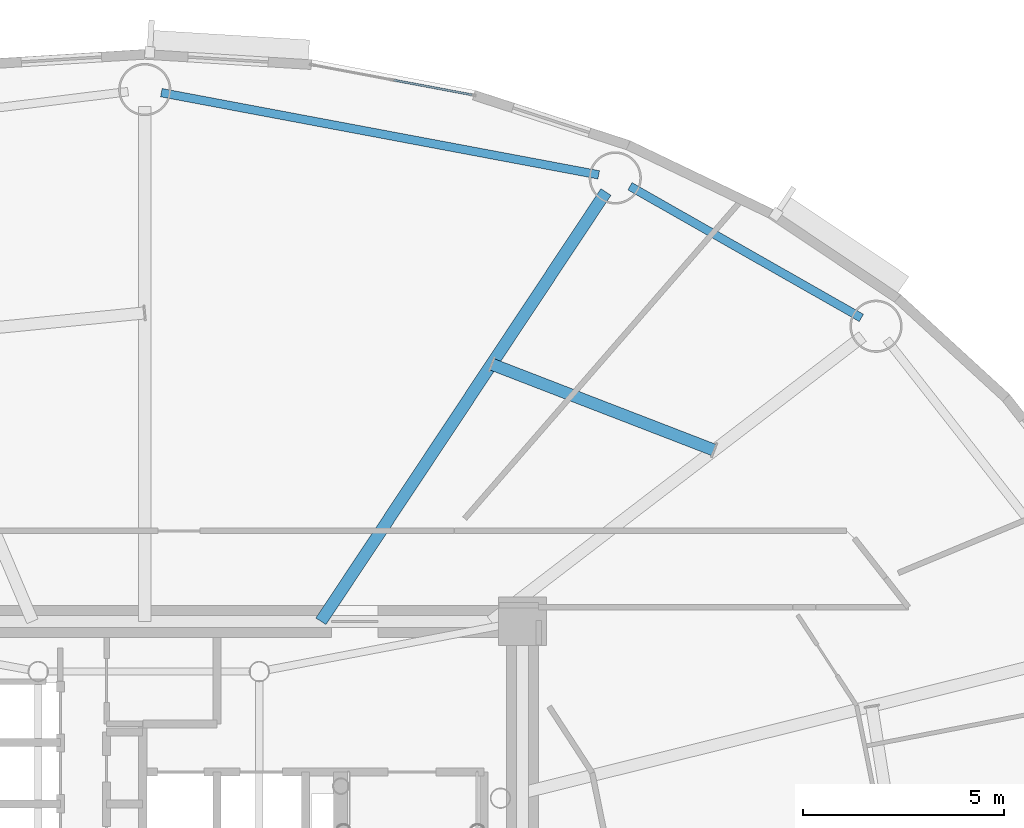
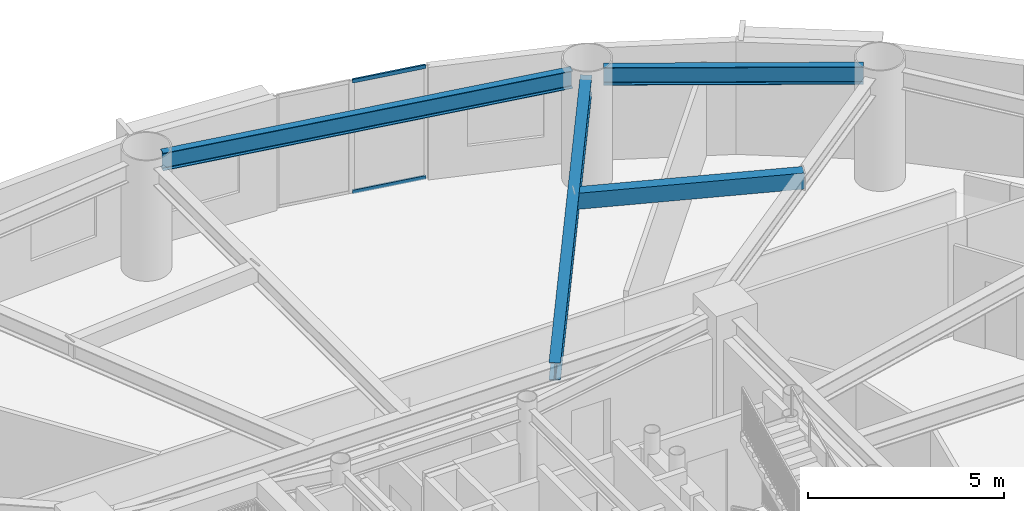
# One storey, part 5 of 21: 4 beams, 2 members, 1 element without a shape of its own.
"""IFC4 building model written with IfcOpenShell, lengths in metres."""

from ifc_helpers import new_model, si_unit, direction, frame, origin, origin_2d, place, context, subcontext, project, spatial, hollow_rectangle, i_section, extrude, source, transform, mapped, material, layer, layer_set, material_profile, profile_set, type_object, element, aggregate, save


model = new_model("IFC4")

# Units and contexts
model_context = context("Model", 3, precision=1e-05, world=origin(), true_north=direction((0.0, 1.0)))
body_context = subcontext(model_context, "Body", "Model", "MODEL_VIEW")
ifc_project = project(units=[si_unit("LENGTHUNIT", "METRE"), si_unit("AREAUNIT", "SQUARE_METRE"), si_unit("VOLUMEUNIT", "CUBIC_METRE"), si_unit("PLANEANGLEUNIT", "RADIAN"), si_unit("MASSUNIT", "GRAM", prefix="KILO")], contexts=[model_context])

# Site, building, storey
site_placement = place(None, origin())
site = spatial("IfcSite", under=ifc_project, at=site_placement, CompositionType="ELEMENT")
building_placement = place(site_placement, origin())
building = spatial("IfcBuilding", under=site, at=building_placement, Name="Linh Dai School and Residence Tower", CompositionType="ELEMENT")
storey_placement = place(building_placement, frame((0.0, 0.0, 171.14990234375)))
storey = spatial("IfcBuildingStorey", under=building, at=storey_placement, Name="L41", CompositionType="ELEMENT", Elevation=171.14990234375)

# Beams
ifc_material_1 = material(Name="Structural Steel S355JR", Category="steel")
ifc_material_profile_1 = material_profile(ifc_material_1, hollow_rectangle(XDim=0.300048828125, YDim=0.5, WallThickness=0.01611328125, at=origin_2d()), Name="RHS 500x300x16")
ifc_profile_set_1 = profile_set([ifc_material_profile_1], Name="Structural Steel S355JR")
beam_type_1 = type_object("IfcBeamType", Name="BM-BX5", PredefinedType="BEAM", material=ifc_profile_set_1)
beam_1_placement = place(storey_placement, frame((50.1640625, 37.860107421875, 3.25), z_axis=(-0.932827710026, 0.360322721193, 0.0), x_axis=(-0.360322721193, -0.932827710026, 0.0)))
element("IfcBeam", 1, at=beam_1_placement, inside=storey, type_object=beam_type_1, Name="L41 Secondary Circumferential Floor Beam 02", PredefinedType="BEAM", context=body_context, shape_type="SweptSolid", body=[
    extrude(hollow_rectangle(XDim=0.300048828125, YDim=0.5, WallThickness=0.01611328125, at=origin_2d()), origin(), (0.0, 0.0, 1.0), 5.927978515625),
])
ifc_material_profile_2 = material_profile(ifc_material_1, i_section(OverallWidth=0.2099609375, OverallDepth=0.550048828125, WebThickness=0.010986328125, FlangeThickness=0.01708984375, FilletRadius=0.02392578125, at=origin_2d()), Name="IPE 550")
ifc_profile_set_2 = profile_set([ifc_material_profile_2], Name="Structural Steel S355JR")
beam_type_2 = type_object("IfcBeamType", Name="BM-RB55", PredefinedType="BEAM", material=ifc_profile_set_2)
beam_2_placement = place(storey_placement, frame((53.827392578125, 41.1494140625, 3.22509765625), z_axis=(-0.869262164011, 0.49435138335, 0.0), x_axis=(-0.49435138335, -0.869262164011, 0.0)))
element("IfcBeam", 2, at=beam_2_placement, inside=storey, type_object=beam_type_2, Name="L41 Perimeter Elliptical Ring Beam 03", PredefinedType="BEAM", context=body_context, shape_type="SweptSolid", body=[
    extrude(i_section(OverallWidth=0.2099609375, OverallDepth=0.550048828125, WebThickness=0.010986328125, FlangeThickness=0.01708984375, FilletRadius=0.02392578125, at=origin_2d()), origin(), (0.0, 0.0, 1.0), 6.62255859375),
])
beam_3_placement = place(storey_placement, frame((47.292724609375, 44.70849609375, 3.22509765625), z_axis=(-0.98280721278, 0.184634727255, 0.0), x_axis=(-0.184634727255, -0.98280721278, 0.0)))
element("IfcBeam", 3, at=beam_3_placement, inside=storey, type_object=beam_type_2, Name="L41 Perimeter Elliptical Ring Beam 04", PredefinedType="BEAM", context=body_context, shape_type="SweptSolid", body=[
    extrude(i_section(OverallWidth=0.2099609375, OverallDepth=0.550048828125, WebThickness=0.010986328125, FlangeThickness=0.01708984375, FilletRadius=0.02392578125, at=origin_2d()), origin(), (0.0, 0.0, 1.0), 11.0703125),
])
ifc_material_profile_3 = material_profile(ifc_material_1, i_section(OverallWidth=0.300048828125, OverallDepth=0.550048828125, WebThickness=0.014892578125, FlangeThickness=0.029052734375, FilletRadius=0.027099609375, at=origin_2d()), Name="HEB 550")
ifc_profile_set_3 = profile_set([ifc_material_profile_3], Name="Structural Steel S355JR")
beam_type_3 = type_object("IfcBeamType", Name="BM-RG55", PredefinedType="BEAM", material=ifc_profile_set_3)
beam_4_placement = place(storey_placement, frame((40.3818359375, 33.60009765625, 3.22509765625), z_axis=(0.553117176317, 0.833103468522, 0.0), x_axis=(-0.833103468522, 0.553117176317, 0.0)))
element("IfcBeam", 4, at=beam_4_placement, inside=storey, type_object=beam_type_3, Name="L41 Primary Radial Floor Girder 04", PredefinedType="BEAM", context=body_context, shape_type="SweptSolid", body=[
    extrude(i_section(OverallWidth=0.300048828125, OverallDepth=0.550048828125, WebThickness=0.014892578125, FlangeThickness=0.029052734375, FilletRadius=0.027099609375, at=origin_2d()), origin(), (0.0, 0.0, 1.0), 12.820556640625),
])

# Curtain wall, members
ifc_material_2 = material(Name="Aluminium Anodised Curtain Wall", Category="aluminium")
ifc_layer = layer(ifc_material_2, 0.14990234375)
ifc_layer_set = layer_set([ifc_layer], Name="Aluminium Anodised Curtain Wall")
curtain_wall_type = type_object("IfcCurtainWallType", Name="CW-SYS-4", PredefinedType="USERDEFINED", material=ifc_layer_set)
curtain_wall_placement = place(storey_placement, origin())
curtain_wall = element("IfcCurtainWall", 5, at=curtain_wall_placement, inside=storey, type_object=curtain_wall_type, Name="L41 CW4 Curtain Wall 09", ObjectType="RIBBON CURTAIN WALL", PredefinedType="USERDEFINED")
ifc_material_3 = material(Name="Aluminium Alloy 6063-T6", Category="aluminium")
ifc_material_profile_4 = material_profile(ifc_material_3, hollow_rectangle(XDim=0.052001953125, YDim=0.114990234375, WallThickness=0.00390625, at=origin_2d()), Name="RHS 115x52x4")
ifc_profile_set_4 = profile_set([ifc_material_profile_4], Name="Aluminium Alloy 6063-T6")
member_type = type_object("IfcMemberType", Name="CW-SYS-4-TRN", PredefinedType="USERDEFINED", material=ifc_profile_set_4)
shared_shape = source(origin(), body_context, "Body", "SweptSolid", [
    extrude(hollow_rectangle(XDim=0.052001953125, YDim=0.114990234375, WallThickness=0.00390625, at=origin_2d()), origin(), (0.0, 0.0, 1.0), 1.979248046875),
])
member_1_placement = place(storey_placement, frame((42.19287109375, 47.064697265625, 0.026123046875), z_axis=(0.982778495778, -0.184787521862, 0.0), x_axis=(0.184787521862, 0.982778495778, 0.0)))
member_1 = element("IfcMember", 6, at=member_1_placement, type_object=member_type, Name="CW4 transom 2.1", ObjectType="TRANSOM", PredefinedType="USERDEFINED", context=body_context, shape_type="MappedRepresentation", body=[
    mapped(shared_shape, transform((0.0, 0.0, 0.0), x_axis=(1.0, 0.0, 0.0), y_axis=(0.0, 1.0, 0.0), z_axis=(0.0, 0.0, 1.0), scale=1.0)),
])
member_2_placement = place(storey_placement, frame((42.19287109375, 47.064697265625, 3.47412109375), z_axis=(0.982778495778, -0.184787521862, 0.0), x_axis=(0.184787521862, 0.982778495778, 0.0)))
member_2 = element("IfcMember", 7, at=member_2_placement, type_object=member_type, Name="CW4 transom 2.2", ObjectType="TRANSOM", PredefinedType="USERDEFINED", context=body_context, shape_type="MappedRepresentation", body=[
    mapped(shared_shape, transform((0.0, 0.0, 0.0), x_axis=(1.0, 0.0, 0.0), y_axis=(0.0, 1.0, 0.0), z_axis=(0.0, 0.0, 1.0), scale=1.0)),
])
aggregate(curtain_wall, [member_1, member_2])

save(model, "model.ifc")
